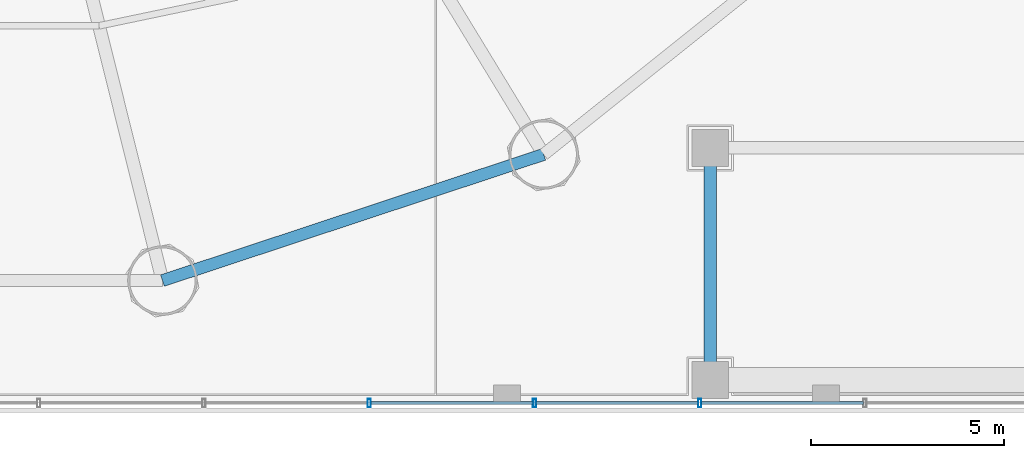
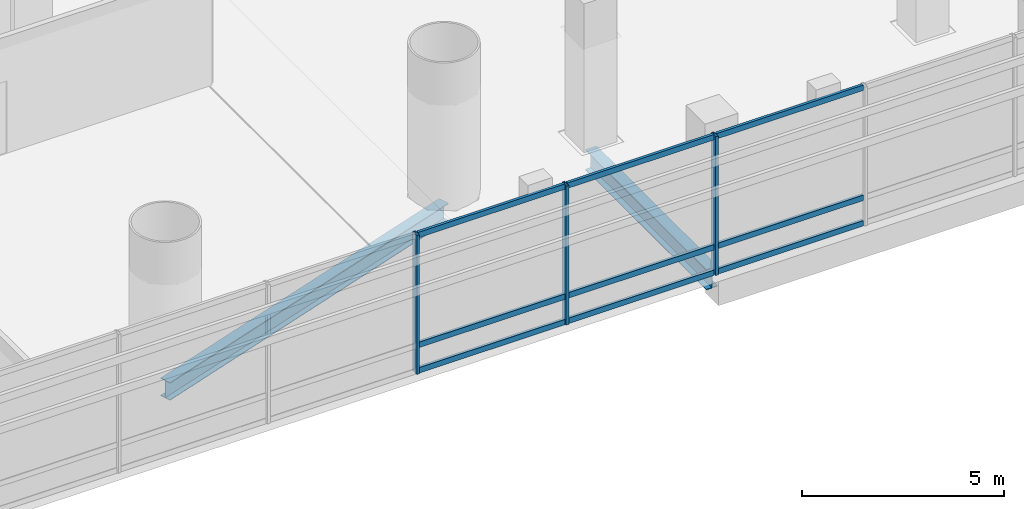
# One storey, part 8 of 36: 12 members, 2 beams, 1 element without a shape of its own.
"""IFC4 building model written with IfcOpenShell, lengths in metres."""

from ifc_helpers import new_model, si_unit, direction, frame, origin, origin_2d, place, context, subcontext, project, spatial, hollow_rectangle, i_section, extrude, source, transform, mapped, material, material_profile, profile_set, type_object, element, aggregate, save


model = new_model("IFC4")

# Units and contexts
model_context = context("Model", 3, precision=1e-05, world=origin(), true_north=direction((-0.2419218956, 0.970295726276)))
body_context = subcontext(model_context, "Body", "Model", "MODEL_VIEW")
ifc_project = project(units=[si_unit("LENGTHUNIT", "METRE"), si_unit("AREAUNIT", "SQUARE_METRE"), si_unit("VOLUMEUNIT", "CUBIC_METRE"), si_unit("PLANEANGLEUNIT", "RADIAN"), si_unit("MASSUNIT", "GRAM", prefix="KILO")], contexts=[model_context])

# Site, building, storey
site_placement = place(None, origin())
site = spatial("IfcSite", under=ifc_project, at=site_placement, CompositionType="ELEMENT")
building_placement = place(site_placement, origin())
building = spatial("IfcBuilding", under=site, at=building_placement, Name="Cobrevalo Terracotta Tower", CompositionType="ELEMENT")
storey_placement = place(building_placement, frame((0.0, 0.0, 5.39990234375)))
storey = spatial("IfcBuildingStorey", under=building, at=storey_placement, Name="L01", CompositionType="ELEMENT", Elevation=5.39990234375)

# Beams
ifc_material_1 = material(Name="Steel S355", Category="steel")
ifc_material_profile_1 = material_profile(ifc_material_1, i_section(OverallWidth=0.324951171875, OverallDepth=0.615966796875, WebThickness=0.013916015625, FlangeThickness=0.021484375, at=origin_2d()), Name="W 610x174")
ifc_profile_set_1 = profile_set([ifc_material_profile_1], Name="Steel S355")
beam_type_1 = type_object("IfcBeamType", Name="Structural Beam W 610x174 (Steel S355)", PredefinedType="BEAM", material=ifc_profile_set_1)
beam_1_placement = place(storey_placement, frame((57.5, 2.800048828125, -0.60791015625), z_axis=(0.0, 1.0, 0.0), x_axis=(-1.0, 0.0, 0.0)))
element("IfcBeam", 1, at=beam_1_placement, inside=storey, type_object=beam_type_1, Name="L01 podium grid beam G7-GA to G7-GB", PredefinedType="BEAM", context=body_context, shape_type="SweptSolid", body=[
    extrude(i_section(OverallWidth=0.324951171875, OverallDepth=0.615966796875, WebThickness=0.013916015625, FlangeThickness=0.021484375, at=origin_2d()), origin(), (0.0, 0.0, 1.0), 6.0),
])
ifc_material_profile_2 = material_profile(ifc_material_1, i_section(OverallWidth=0.31201171875, OverallDepth=0.54296875, WebThickness=0.0126953125, FlangeThickness=0.020263671875, at=origin_2d()), Name="W 530x150")
ifc_profile_set_2 = profile_set([ifc_material_profile_2], Name="Steel S355")
beam_type_2 = type_object("IfcBeamType", Name="Structural Spandrel W 530x150 (Steel S355)", PredefinedType="SPANDREL", material=ifc_profile_set_2)
beam_2_placement = place(storey_placement, frame((43.335693359375, 5.369873046875, -0.5712890625), z_axis=(0.949372202648, 0.314153498848, 0.0), x_axis=(-0.314153498848, 0.949372202648, 0.0)))
element("IfcBeam", 2, at=beam_2_placement, inside=storey, type_object=beam_type_2, Name="L01 perimeter ring spandrel 13", PredefinedType="SPANDREL", context=body_context, shape_type="SweptSolid", body=[
    extrude(i_section(OverallWidth=0.31201171875, OverallDepth=0.54296875, WebThickness=0.0126953125, FlangeThickness=0.020263671875, at=origin_2d()), origin(), (0.0, 0.0, 1.0), 10.385009765625),
])

# Curtain wall, members
ifc_material_2 = material(Name="Anodized aluminium", Category="aluminium")
curtain_wall_type = type_object("IfcCurtainWallType", Name="Double-height storefront stick curtain wall CW-S1", PredefinedType="NOTDEFINED", material=ifc_material_2)
curtain_wall_placement = place(storey_placement, origin())
curtain_wall = element("IfcCurtainWall", 3, at=curtain_wall_placement, inside=storey, type_object=curtain_wall_type, Name="L01 curtain wall CW-POD-L01-S", PredefinedType="NOTDEFINED")
ifc_material_profile_3 = material_profile(ifc_material_2, hollow_rectangle(XDim=0.080078125, YDim=0.219970703125, WallThickness=0.0048828125, at=origin_2d()), Name="CWM 80x220")
ifc_profile_set_3 = profile_set([ifc_material_profile_3], Name="Anodized aluminium")
member_type_1 = type_object("IfcMemberType", Name="Storefront & atrium aluminium mullion 80x220", PredefinedType="MULLION", material=ifc_profile_set_3)
shared_shape_1 = source(origin(), body_context, "Body", "SweptSolid", [
    extrude(hollow_rectangle(XDim=0.080078125, YDim=0.219970703125, WallThickness=0.0048828125, at=origin_2d()), origin(), (0.0, 0.0, 1.0), 4.2001953125),
])
member_1_placement = place(storey_placement, frame((48.683349609375, 2.199951171875, 0.0), z_axis=(0.0, 0.0, 1.0), x_axis=(1.0, 0.0, 0.0)))
member_1 = element("IfcMember", 4, at=member_1_placement, type_object=member_type_1, Name="CW-POD-L01-S vertical mullion 11", PredefinedType="MULLION", context=body_context, shape_type="MappedRepresentation", body=[
    mapped(shared_shape_1, transform((0.0, 0.0, 0.0), scale=1.0)),
])
member_2_placement = place(storey_placement, frame((52.956787109375, 2.199951171875, 0.0), z_axis=(0.0, 0.0, 1.0), x_axis=(1.0, 0.0, 0.0)))
member_2 = element("IfcMember", 5, at=member_2_placement, type_object=member_type_1, Name="CW-POD-L01-S vertical mullion 12", PredefinedType="MULLION", context=body_context, shape_type="MappedRepresentation", body=[
    mapped(shared_shape_1, transform((0.0, 0.0, 0.0), scale=1.0)),
])
member_3_placement = place(storey_placement, frame((57.22998046875, 2.199951171875, 0.0), z_axis=(0.0, 0.0, 1.0), x_axis=(1.0, 0.0, 0.0)))
member_3 = element("IfcMember", 6, at=member_3_placement, type_object=member_type_1, Name="CW-POD-L01-S vertical mullion 13", PredefinedType="MULLION", context=body_context, shape_type="MappedRepresentation", body=[
    mapped(shared_shape_1, transform((0.0, 0.0, 0.0), scale=1.0)),
])
ifc_material_profile_4 = material_profile(ifc_material_2, hollow_rectangle(XDim=0.080078125, YDim=0.1650390625, WallThickness=0.00439453125, at=origin_2d()), Name="CWT 80x165")
ifc_profile_set_4 = profile_set([ifc_material_profile_4], Name="Anodized aluminium")
member_type_2 = type_object("IfcMemberType", Name="Storefront & atrium aluminium transom 80x165", PredefinedType="USERDEFINED", material=ifc_profile_set_4)
shared_shape_2 = source(origin(), body_context, "Body", "SweptSolid", [
    extrude(hollow_rectangle(XDim=0.080078125, YDim=0.1650390625, WallThickness=0.00439453125, at=origin_2d()), origin(), (0.0, 0.0, 1.0), 4.193359375),
])
member_4_placement = place(storey_placement, frame((48.723388671875, 2.199951171875, 0.050048828125), z_axis=(1.0, 0.0, 0.0), x_axis=(0.0, 1.0, 0.0)))
member_4 = element("IfcMember", 7, at=member_4_placement, type_object=member_type_2, Name="CW-POD-L01-S transom B11-T1", ObjectType="TRANSOM", PredefinedType="USERDEFINED", context=body_context, shape_type="MappedRepresentation", body=[
    mapped(shared_shape_2, transform((0.0, 0.0, 0.0), scale=1.0)),
])
member_5_placement = place(storey_placement, frame((48.723388671875, 2.199951171875, 0.820068359375), z_axis=(1.0, 0.0, 0.0), x_axis=(0.0, 1.0, 0.0)))
member_5 = element("IfcMember", 8, at=member_5_placement, type_object=member_type_2, Name="CW-POD-L01-S transom B11-T2", ObjectType="TRANSOM", PredefinedType="USERDEFINED", context=body_context, shape_type="MappedRepresentation", body=[
    mapped(shared_shape_2, transform((0.0, 0.0, 0.0), scale=1.0)),
])
member_6_placement = place(storey_placement, frame((48.723388671875, 2.199951171875, 4.150146484375), z_axis=(1.0, 0.0, 0.0), x_axis=(0.0, 1.0, 0.0)))
member_6 = element("IfcMember", 9, at=member_6_placement, type_object=member_type_2, Name="CW-POD-L01-S transom B11-T3", ObjectType="TRANSOM", PredefinedType="USERDEFINED", context=body_context, shape_type="MappedRepresentation", body=[
    mapped(shared_shape_2, transform((0.0, 0.0, 0.0), scale=1.0)),
])
member_7_placement = place(storey_placement, frame((52.99658203125, 2.199951171875, 0.050048828125), z_axis=(1.0, 0.0, 0.0), x_axis=(0.0, 1.0, 0.0)))
member_7 = element("IfcMember", 10, at=member_7_placement, type_object=member_type_2, Name="CW-POD-L01-S transom B12-T1", ObjectType="TRANSOM", PredefinedType="USERDEFINED", context=body_context, shape_type="MappedRepresentation", body=[
    mapped(shared_shape_2, transform((0.0, 0.0, 0.0), scale=1.0)),
])
member_8_placement = place(storey_placement, frame((52.99658203125, 2.199951171875, 0.820068359375), z_axis=(1.0, 0.0, 0.0), x_axis=(0.0, 1.0, 0.0)))
member_8 = element("IfcMember", 11, at=member_8_placement, type_object=member_type_2, Name="CW-POD-L01-S transom B12-T2", ObjectType="TRANSOM", PredefinedType="USERDEFINED", context=body_context, shape_type="MappedRepresentation", body=[
    mapped(shared_shape_2, transform((0.0, 0.0, 0.0), scale=1.0)),
])
member_9_placement = place(storey_placement, frame((52.99658203125, 2.199951171875, 4.150146484375), z_axis=(1.0, 0.0, 0.0), x_axis=(0.0, 1.0, 0.0)))
member_9 = element("IfcMember", 12, at=member_9_placement, type_object=member_type_2, Name="CW-POD-L01-S transom B12-T3", ObjectType="TRANSOM", PredefinedType="USERDEFINED", context=body_context, shape_type="MappedRepresentation", body=[
    mapped(shared_shape_2, transform((0.0, 0.0, 0.0), scale=1.0)),
])
member_10_placement = place(storey_placement, frame((57.27001953125, 2.199951171875, 0.050048828125), z_axis=(1.0, 0.0, 0.0), x_axis=(0.0, 1.0, 0.0)))
member_10 = element("IfcMember", 13, at=member_10_placement, type_object=member_type_2, Name="CW-POD-L01-S transom B13-T1", ObjectType="TRANSOM", PredefinedType="USERDEFINED", context=body_context, shape_type="MappedRepresentation", body=[
    mapped(shared_shape_2, transform((0.0, 0.0, 0.0), scale=1.0)),
])
member_11_placement = place(storey_placement, frame((57.27001953125, 2.199951171875, 0.820068359375), z_axis=(1.0, 0.0, 0.0), x_axis=(0.0, 1.0, 0.0)))
member_11 = element("IfcMember", 14, at=member_11_placement, type_object=member_type_2, Name="CW-POD-L01-S transom B13-T2", ObjectType="TRANSOM", PredefinedType="USERDEFINED", context=body_context, shape_type="MappedRepresentation", body=[
    mapped(shared_shape_2, transform((0.0, 0.0, 0.0), scale=1.0)),
])
member_12_placement = place(storey_placement, frame((57.27001953125, 2.199951171875, 4.150146484375), z_axis=(1.0, 0.0, 0.0), x_axis=(0.0, 1.0, 0.0)))
member_12 = element("IfcMember", 15, at=member_12_placement, type_object=member_type_2, Name="CW-POD-L01-S transom B13-T3", ObjectType="TRANSOM", PredefinedType="USERDEFINED", context=body_context, shape_type="MappedRepresentation", body=[
    mapped(shared_shape_2, transform((0.0, 0.0, 0.0), scale=1.0)),
])
aggregate(curtain_wall, [member_1, member_2, member_3, member_4, member_5, member_6, member_7, member_8, member_9, member_10, member_11, member_12])

save(model, "model.ifc")
